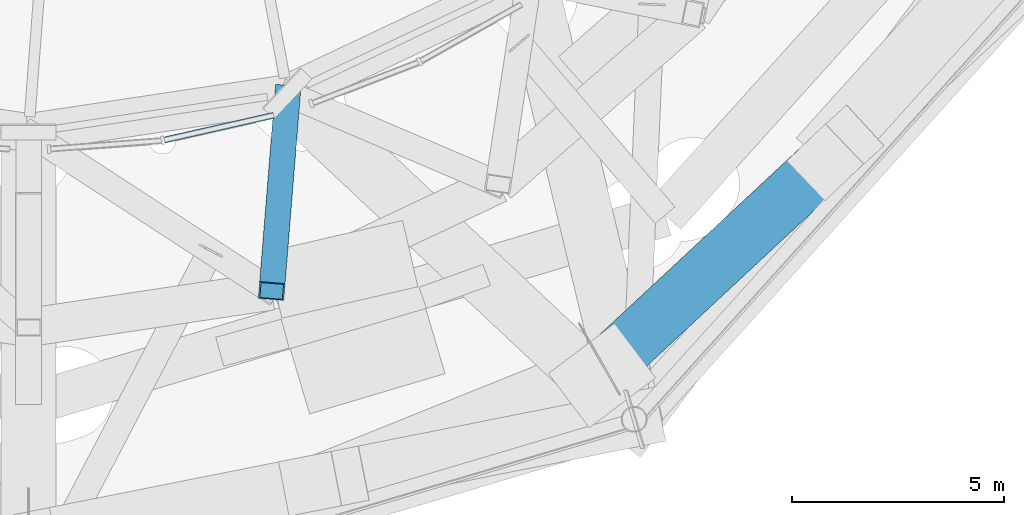
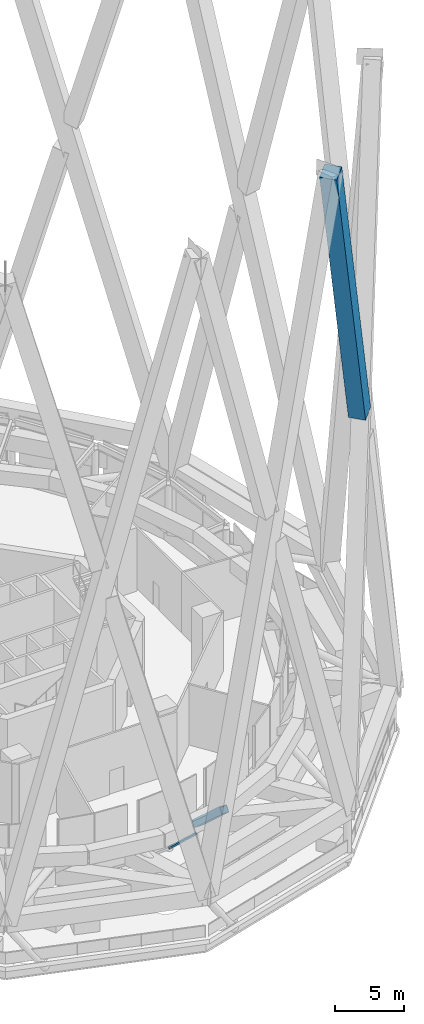
# One storey, part 8 of 48: 2 members, 1 beam, 1 element without a shape of its own.
"""IFC4 building model written with IfcOpenShell, lengths in metres."""

from ifc_helpers import new_model, si_unit, direction, frame, origin, origin_2d, place, context, subcontext, project, spatial, rectangle, hollow_rectangle, extrude, material, layer, layer_set, material_profile, profile_set, type_object, element, aggregate, save


model = new_model("IFC4")

# Units and contexts
model_context = context("Model", 3, precision=1e-05, world=origin(), true_north=direction((0.0, 1.0)))
body_context = subcontext(model_context, "Body", "Model", "MODEL_VIEW")
ifc_project = project(units=[si_unit("LENGTHUNIT", "METRE"), si_unit("AREAUNIT", "SQUARE_METRE"), si_unit("VOLUMEUNIT", "CUBIC_METRE"), si_unit("PLANEANGLEUNIT", "RADIAN"), si_unit("MASSUNIT", "GRAM", prefix="KILO")], contexts=[model_context])

# Site, building, storey
site_placement = place(None, origin())
site = spatial("IfcSite", under=ifc_project, at=site_placement, CompositionType="ELEMENT")
building_placement = place(site_placement, origin())
building = spatial("IfcBuilding", under=site, at=building_placement, Name="Nagisa Residences", CompositionType="ELEMENT")
storey_placement = place(building_placement, frame((0.0, 0.0, 252.89990234375)))
storey = spatial("IfcBuildingStorey", under=building, at=storey_placement, Name="L64", CompositionType="ELEMENT", Elevation=252.89990234375)

# Beam
ifc_material_1 = material(Name="Steel ASTM A572 Gr 50", Category="steel")
ifc_material_profile_1 = material_profile(ifc_material_1, hollow_rectangle(XDim=0.60009765625, YDim=0.60009765625, WallThickness=0.034912109375, at=origin_2d()), Name="BX 600x600x35")
ifc_profile_set_1 = profile_set([ifc_material_profile_1], Name="Steel ASTM A572 Gr 50")
beam_type = type_object("IfcBeamType", Name="Belt diagonal 5 BX 600x600x35", PredefinedType="BEAM", material=ifc_profile_set_1)
beam_placement = place(storey_placement, frame((4.30029296875, -22.85595703125, 0.60009765625), z_axis=(-0.060223205926, -0.744934021511, 0.664414380536), x_axis=(0.99674808141, -0.080580780619, 0.0)))
element("IfcBeam", 1, at=beam_placement, inside=storey, type_object=beam_type, Name="beam:L64:bt5da20", PredefinedType="BEAM", context=body_context, shape_type="SweptSolid", body=[
    extrude(hollow_rectangle(XDim=0.60009765625, YDim=0.60009765625, WallThickness=0.034912109375, at=origin_2d()), origin(), (0.0, 0.0, 1.0), 6.23095703125),
])

# Curtain wall, member
ifc_material_2 = material(Name="Aluminium curtain wall system", Category="aluminium")
ifc_layer = layer(ifc_material_2, 0.159912109375)
ifc_layer_set = layer_set([ifc_layer], Name="CW2 CURTAIN WALL")
curtain_wall_type = type_object("IfcCurtainWallType", Name="CW2 CURTAIN WALL", PredefinedType="NOTDEFINED", material=ifc_layer_set)
curtain_wall_placement = place(storey_placement, origin())
curtain_wall = element("IfcCurtainWall", 2, at=curtain_wall_placement, inside=storey, type_object=curtain_wall_type, Name="cw:CW2:L64:37", PredefinedType="NOTDEFINED")
ifc_material_3 = material(Name="Aluminium", Category="aluminium")
ifc_material_profile_2 = material_profile(ifc_material_3, rectangle(XDim=0.139892578125, YDim=0.179931640625, at=origin_2d()), Name="CW2 TRANSOM 140x180")
ifc_profile_set_2 = profile_set([ifc_material_profile_2], Name="Aluminium")
member_type_1 = type_object("IfcMemberType", Name="CW2 TRANSOM 140x180", PredefinedType="USERDEFINED", material=ifc_profile_set_2)
member_1_placement = place(storey_placement, frame((1.32421875, -23.9599609375, 0.090087890625), z_axis=(0.975324986877, 0.220774024679, 0.0), x_axis=(-0.220774024679, 0.975324986877, 0.0)))
member_1 = element("IfcMember", 3, at=member_1_placement, type_object=member_type_1, Name="CW2 transom", ObjectType="TRANSOM", PredefinedType="USERDEFINED", context=body_context, shape_type="SweptSolid", body=[
    extrude(rectangle(XDim=0.139892578125, YDim=0.179931640625, at=origin_2d()), origin(), (0.0, 0.0, 1.0), 2.7158203125),
])
aggregate(curtain_wall, [member_1])

# Member
ifc_material_4 = material(Name="Concrete C80", Category="concrete")
ifc_material_profile_3 = material_profile(ifc_material_4, rectangle(XDim=1.300048828125, YDim=1.300048828125, at=origin_2d()), Name="C80 1300x1300")
ifc_profile_set_3 = profile_set([ifc_material_profile_3], Name="Concrete C80")
member_type_2 = type_object("IfcMemberType", Name="Cage diagonal 6 C80 1300x1300", PredefinedType="BRACE", material=ifc_profile_set_3)
member_2_placement = place(storey_placement, frame((16.95458984375, -24.47119140625, 33.3720703125), z_axis=(-0.193238907452, -0.179870120885, 0.964523438937), x_axis=(0.681333372659, -0.731973247668, 0.0)))
element("IfcMember", 4, at=member_2_placement, inside=storey, type_object=member_type_2, Name="mem:L64:cg6d022b", PredefinedType="BRACE", context=body_context, shape_type="SweptSolid", body=[
    extrude(rectangle(XDim=1.300048828125, YDim=1.300048828125, at=origin_2d()), origin(), (0.0, 0.0, 1.0), 26.881591796875),
])

save(model, "model.ifc")
